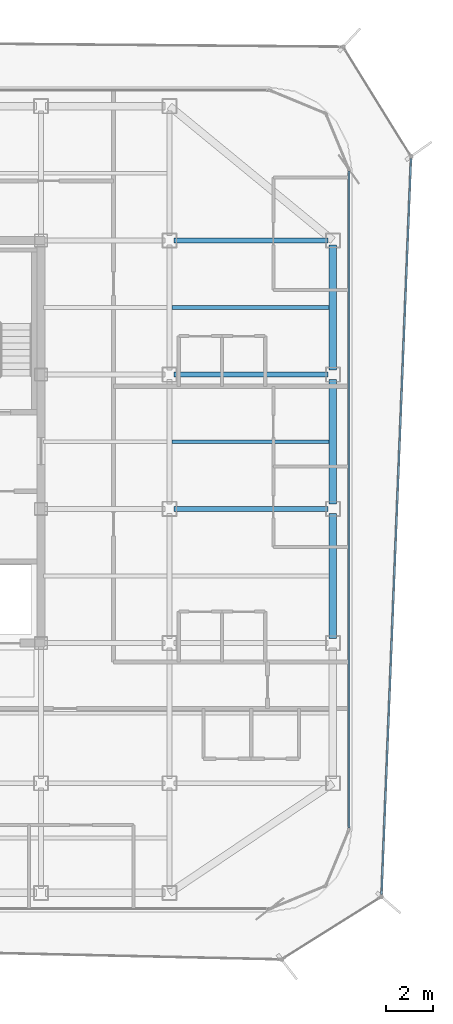
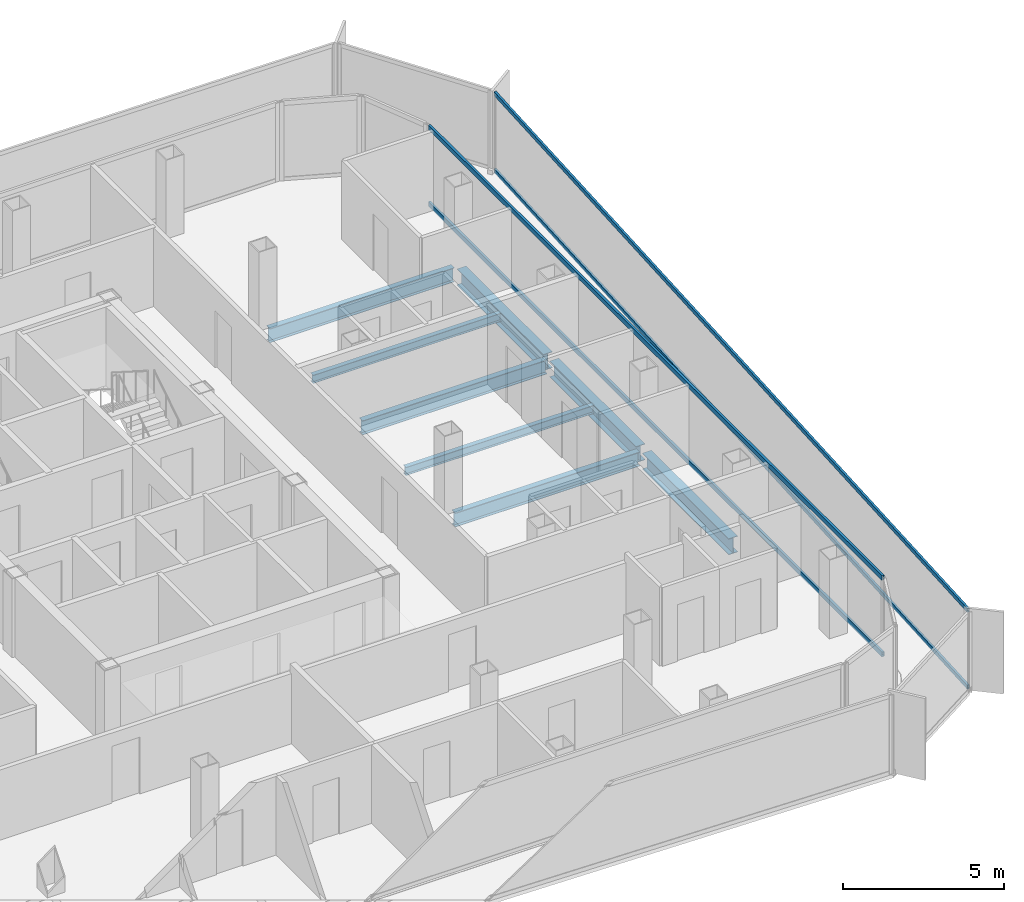
# One storey, part 5 of 15: 8 beams, 4 members, 2 elements without a shape of their own.
"""IFC4 building model written with IfcOpenShell, lengths in metres."""

import ifcopenshell
import ifcopenshell.guid

model = None  # the IFC model being written
_history = None  # IfcOwnerHistory: only IFC2X3 demands one
_inside = {}  # id of a spatial element -> (the spatial element, [elements in it])
_under = {}  # id of a project, library or spatial element -> (it, [spatial elements below it])
_declared = {}  # id of a project -> (the project, [libraries it declares])
_typed = {}  # id of a type object -> (the type object, [elements of that type])
_made_of = {}  # id of a material, layer set ... -> (it, [elements and type objects made of it])


def new_model(schema):
    """Start an empty IFC model of exactly this schema.

    Asked for "IFC4X3", IfcOpenShell would pick the latest addendum, in which some entities
    have other attributes; the version numbers below select the first issue.
    IFC2X3 requires an IfcOwnerHistory on every rooted entity: one is made here for all.
    """
    global model, _history
    if schema == "IFC4X3":
        model = ifcopenshell.file(schema_version=(4, 3, 0, 0))
    else:
        model = ifcopenshell.file(schema=schema)
    _inside.clear()
    _under.clear()
    _declared.clear()
    _typed.clear()
    _made_of.clear()
    _history = None
    if model.schema == "IFC2X3":
        org = make("IfcOrganization", Name="unknown")
        user = make(
            "IfcPersonAndOrganization",
            ThePerson=make("IfcPerson", FamilyName="unknown"),
            TheOrganization=org,
        )
        app = make(
            "IfcApplication",
            ApplicationDeveloper=org,
            Version="unknown",
            ApplicationFullName="unknown",
            ApplicationIdentifier="unknown",
        )
        _history = make(
            "IfcOwnerHistory",
            OwningUser=user,
            OwningApplication=app,
            ChangeAction="ADDED",
            CreationDate=0,
        )
    return model


def make(cls, **values):
    """One entity of the class cls with the attributes given. An attribute that is None is left unset."""
    return model.create_entity(
        cls, **{name: value for name, value in values.items() if value is not None}
    )


def rooted(cls, **values):
    """An entity with a GlobalId (a new one), such as an element, a storey or a relation."""
    return make(cls, GlobalId=ifcopenshell.guid.new(), OwnerHistory=_history, **values)


def si_unit(unit_type, name, prefix=None):
    """IfcSIUnit, for example si_unit("LENGTHUNIT", "METRE", prefix="MILLI")."""
    return make("IfcSIUnit", UnitType=unit_type, Prefix=prefix, Name=name)


def assignment(units):
    """IfcUnitAssignment: the units of a project."""
    return None if units is None else make("IfcUnitAssignment", Units=units)


def point(xyz):
    """IfcCartesianPoint."""
    return None if xyz is None else make("IfcCartesianPoint", Coordinates=xyz)


def direction(xyz):
    """IfcDirection."""
    return None if xyz is None else make("IfcDirection", DirectionRatios=xyz)


def frame(location, z_axis=None, x_axis=None):
    """IfcAxis2Placement3D, a coordinate frame: its origin and axes. An axis left out is left unset."""
    return make(
        "IfcAxis2Placement3D",
        Location=point(location),
        Axis=direction(z_axis),
        RefDirection=direction(x_axis),
    )


def frame_2d(location, x_axis=None):
    """IfcAxis2Placement2D, a coordinate frame in the plane: its origin and x axis."""
    return make(
        "IfcAxis2Placement2D", Location=point(location), RefDirection=direction(x_axis)
    )


def origin():
    """The frame at (0, 0, 0) with its axes left unset."""
    return frame((0.0, 0.0, 0.0))


def origin_2d():
    """The frame at (0, 0) in the plane with its x axis left unset."""
    return frame_2d((0.0, 0.0))


def place(relative_to, where):
    """IfcLocalPlacement: puts the frame where relative to a parent placement (None: the world)."""
    return make(
        "IfcLocalPlacement", PlacementRelTo=relative_to, RelativePlacement=where
    )


def context(
    kind, dimensions, precision=None, world=None, true_north=None, identifier=None
):
    """IfcGeometricRepresentationContext, for example the 3D "Model" context."""
    return make(
        "IfcGeometricRepresentationContext",
        ContextIdentifier=identifier,
        ContextType=kind,
        CoordinateSpaceDimension=dimensions,
        Precision=precision,
        WorldCoordinateSystem=world,
        TrueNorth=true_north,
    )


def subcontext(parent, identifier, kind, view, scale=None):
    """IfcGeometricRepresentationSubContext, for example "Body" below "Model"."""
    return make(
        "IfcGeometricRepresentationSubContext",
        ContextIdentifier=identifier,
        ContextType=kind,
        ParentContext=parent,
        TargetScale=scale,
        TargetView=view,
    )


def project(units=None, contexts=None):
    """IfcProject with its units and contexts."""
    return rooted(
        "IfcProject",
        Name="project",
        RepresentationContexts=contexts,
        UnitsInContext=assignment(units),
    )


def spatial(cls, under=None, at=None, **own):
    """A site, building, storey or space (cls), placed at a placement, below another one or the project."""
    s = rooted(cls, ObjectPlacement=at, **own)
    if under is not None:
        _under.setdefault(under.id(), (under, []))[1].append(s)
    return s


def profile(cls, at=None, kind="AREA", **sizes):
    """A parametric profile (cls). Its sizes go by their IFC names, for example OverallWidth=200.0."""
    return make(cls, ProfileType=kind, Position=at, **sizes)


def hollow_rectangle(**sizes):
    """IfcRectangleHollowProfileDef."""
    return profile("IfcRectangleHollowProfileDef", **sizes)


def i_section(**sizes):
    """IfcIShapeProfileDef."""
    return profile("IfcIShapeProfileDef", **sizes)


def extrude(swept, where, along, depth):
    """IfcExtrudedAreaSolid: the profile swept, set in the frame where, extruded along a direction by depth."""
    return make(
        "IfcExtrudedAreaSolid",
        SweptArea=swept,
        Position=where,
        ExtrudedDirection=direction(along),
        Depth=depth,
    )


def shape(context_of_items, identifier, shape_type, items):
    """IfcShapeRepresentation: the items that make up one representation, for example the "Body"."""
    return make(
        "IfcShapeRepresentation",
        ContextOfItems=context_of_items,
        RepresentationIdentifier=identifier,
        RepresentationType=shape_type,
        Items=items,
    )


def source(mapping_origin, context_of_items, identifier, shape_type, items):
    """IfcRepresentationMap: a shape defined once, which mapped items show again and again."""
    return make(
        "IfcRepresentationMap",
        MappingOrigin=mapping_origin,
        MappedRepresentation=shape(context_of_items, identifier, shape_type, items),
    )


def transform(
    local_origin,
    x_axis=None,
    y_axis=None,
    z_axis=None,
    scale=None,
    scale2=None,
    scale3=None,
    uniform=True,
):
    """IfcCartesianTransformationOperator3D, or its non-uniform kind. x_axis, y_axis, z_axis: its Axis1, 2, 3."""
    if uniform:
        return make(
            "IfcCartesianTransformationOperator3D",
            Axis1=direction(x_axis),
            Axis2=direction(y_axis),
            LocalOrigin=point(local_origin),
            Scale=scale,
            Axis3=direction(z_axis),
        )
    return make(
        "IfcCartesianTransformationOperator3DnonUniform",
        Axis1=direction(x_axis),
        Axis2=direction(y_axis),
        LocalOrigin=point(local_origin),
        Scale=scale,
        Axis3=direction(z_axis),
        Scale2=scale2,
        Scale3=scale3,
    )


def mapped(mapping_source, mapping_target):
    """IfcMappedItem: shows the shape of a source again, moved by a transform."""
    return make(
        "IfcMappedItem", MappingSource=mapping_source, MappingTarget=mapping_target
    )


def material(Name=None, Category=None):
    """IfcMaterial."""
    return make("IfcMaterial", Name=Name, Category=Category)


def layer(
    of_material, thickness, ventilated=None, Name=None, Category=None, Priority=None
):
    """IfcMaterialLayer: one layer of a wall or slab, of a material (None: an air gap)."""
    return make(
        "IfcMaterialLayer",
        Material=of_material,
        LayerThickness=thickness,
        IsVentilated=ventilated,
        Name=Name,
        Category=Category,
        Priority=Priority,
    )


def layer_set(layers, Name=None):
    """IfcMaterialLayerSet."""
    return make("IfcMaterialLayerSet", MaterialLayers=layers, LayerSetName=Name)


def material_profile(
    of_material, cross_section, Name=None, Category=None, Priority=None
):
    """IfcMaterialProfile: a cross section and its material."""
    return make(
        "IfcMaterialProfile",
        Name=Name,
        Material=of_material,
        Profile=cross_section,
        Priority=Priority,
        Category=Category,
    )


def profile_set(profiles, Name=None, composite=None):
    """IfcMaterialProfileSet."""
    return make(
        "IfcMaterialProfileSet",
        Name=Name,
        MaterialProfiles=profiles,
        CompositeProfile=composite,
    )


def made_of(thing, what):
    """Note that an element or type object is made of a material, layer set ...; save() writes the relation."""
    if what is not None:
        _made_of.setdefault(what.id(), (what, []))[1].append(thing)
    return thing


def type_object(cls, material=None, **own):
    """A type object (cls), such as IfcWallType, which elements share."""
    return made_of(rooted(cls, **own), material)


def element(
    cls,
    number,
    at=None,
    inside=None,
    cuts=None,
    type_object=None,
    material=None,
    context=None,
    identifier="Body",
    shape_type=None,
    held_by="IfcProductDefinitionShape",
    body=None,
    shapes=None,
    **own,
):
    """One element of the class cls, such as IfcWall. Its Tag is "e" and its number.

    at: its placement. inside: the storey or other place that contains it. cuts: it is an
    opening in that element (IfcRelVoidsElement). A single representation is given by context,
    identifier, shape_type and body (its items); several are given by shapes. held_by: the class
    of the entity that holds the representations. save() writes the other relations.
    """
    e = rooted(cls, Tag="e%d" % number, ObjectPlacement=at, **own)
    if body is not None:
        shapes = [shape(context, identifier, shape_type, body)]
    if shapes is not None:
        e.Representation = make(held_by, Representations=shapes)
    if inside is not None:
        _inside.setdefault(inside.id(), (inside, []))[1].append(e)
    if cuts is not None:
        rooted(
            "IfcRelVoidsElement", RelatingBuildingElement=cuts, RelatedOpeningElement=e
        )
    if type_object is not None:
        _typed.setdefault(type_object.id(), (type_object, []))[1].append(e)
    return made_of(e, material)


def aggregate(whole, parts):
    """IfcRelAggregates: a whole, such as a stair, and the parts it consists of."""
    return rooted("IfcRelAggregates", RelatingObject=whole, RelatedObjects=parts)


def save(model, path):
    """Write the relations noted so far, then the file.

    IfcRelAggregates (storeys below a building ...), IfcRelContainedInSpatialStructure (elements
    in a storey), IfcRelDefinesByType, IfcRelAssociatesMaterial and IfcRelDeclares: one each for
    every whole, place, type object, material and project.
    """
    for whole, parts in _under.values():
        aggregate(whole, parts)
    for where, things in _inside.values():
        rooted(
            "IfcRelContainedInSpatialStructure",
            RelatedElements=things,
            RelatingStructure=where,
        )
    for kind, things in _typed.values():
        rooted("IfcRelDefinesByType", RelatedObjects=things, RelatingType=kind)
    for what, things in _made_of.values():
        rooted("IfcRelAssociatesMaterial", RelatedObjects=things, RelatingMaterial=what)
    for by, libraries in _declared.values():
        rooted("IfcRelDeclares", RelatingContext=by, RelatedDefinitions=libraries)
    model.write(path)


model = new_model("IFC4")

# Units and contexts
model_context = context("Model", 3, precision=1e-05, world=origin(), true_north=direction((0.0, 1.0)))
body_context = subcontext(model_context, "Body", "Model", "MODEL_VIEW")
ifc_project = project(units=[si_unit("LENGTHUNIT", "METRE"), si_unit("AREAUNIT", "SQUARE_METRE"), si_unit("VOLUMEUNIT", "CUBIC_METRE"), si_unit("PLANEANGLEUNIT", "RADIAN"), si_unit("MASSUNIT", "GRAM", prefix="KILO")], contexts=[model_context])

# Site, building, storey
site_placement = place(None, origin())
site = spatial("IfcSite", under=ifc_project, at=site_placement, CompositionType="ELEMENT")
building_placement = place(site_placement, origin())
building = spatial("IfcBuilding", under=site, at=building_placement, Name="Kolveth Station Tower", CompositionType="ELEMENT")
storey_placement = place(building_placement, frame((0.0, 0.0, 239.300048828125)))
storey = spatial("IfcBuildingStorey", under=building, at=storey_placement, Name="L68", CompositionType="ELEMENT", Elevation=239.300048828125)

# Beams
ifc_material_1 = material(Name="Steel S355", Category="steel")
ifc_material_profile_1 = material_profile(ifc_material_1, i_section(OverallWidth=0.323974609375, OverallDepth=0.611083984375, WebThickness=0.0126953125, FlangeThickness=0.01904296875, at=origin_2d()), Name="W610x155")
ifc_profile_set_1 = profile_set([ifc_material_profile_1], Name="Steel S355")
beam_type_1 = type_object("IfcBeamType", Name="Beam_SP2", PredefinedType="SPANDREL", material=ifc_profile_set_1)
shared_shape_1 = source(origin(), body_context, "Body", "SweptSolid", [
    extrude(i_section(OverallWidth=0.323974609375, OverallDepth=0.611083984375, WebThickness=0.0126953125, FlangeThickness=0.01904296875, at=origin_2d()), origin(), (0.0, 0.0, 1.0), 5.35009765625),
])
for number, where, z_axis, x_axis, name in (
    (1, (41.0, 11.699951171875, -0.525634765625), (0.0, 1.0, 0.0), (-1.0, 0.0, 0.0), "L68 Perimeter Spandrel BM-L68-PE-2"),
    (2, (41.0, 17.449951171875, -0.525634765625), (0.0, 1.0, 0.0), (-1.0, 0.0, 0.0), "L68 Perimeter Spandrel BM-L68-PE-3"),
    (3, (41.0, 23.199951171875, -0.525634765625), (0.0, 1.0, 0.0), (-1.0, 0.0, 0.0), "L68 Perimeter Spandrel BM-L68-PE-4"),
):
    element("IfcBeam", number, at=place(storey_placement, frame(where, z_axis=z_axis, x_axis=x_axis)), inside=storey, type_object=beam_type_1, Name=name, PredefinedType="SPANDREL", context=body_context, shape_type="MappedRepresentation", body=[
        mapped(shared_shape_1, transform((0.0, 0.0, 0.0), x_axis=(1.0, 0.0, 0.0), y_axis=(0.0, 1.0, 0.0), z_axis=(0.0, 0.0, 1.0), scale=1.0)),
    ])
ifc_material_profile_2 = material_profile(ifc_material_1, i_section(OverallWidth=0.2099609375, OverallDepth=0.537109375, WebThickness=0.010986328125, FlangeThickness=0.017333984375, at=origin_2d()), Name="W530x101")
ifc_profile_set_2 = profile_set([ifc_material_profile_2], Name="Steel S355")
beam_type_2 = type_object("IfcBeamType", Name="Beam_B6", PredefinedType="BEAM", material=ifc_profile_set_2)
shared_shape_2 = source(origin(), body_context, "Body", "SweptSolid", [
    extrude(i_section(OverallWidth=0.2099609375, OverallDepth=0.537109375, WebThickness=0.010986328125, FlangeThickness=0.017333984375, at=origin_2d()), origin(), (0.0, 0.0, 1.0), 6.60009765625),
])
for number, where, z_axis, x_axis, name in (
    (4, (34.199951171875, 17.25, -0.488525390625), (1.0, 0.0, 0.0), (0.0, 1.0, 0.0), "L68 Primary Girder BM-L68-GY172-5"),
    (5, (34.199951171875, 23.0, -0.488525390625), (1.0, 0.0, 0.0), (0.0, 1.0, 0.0), "L68 Primary Girder BM-L68-GY230-5"),
    (6, (34.199951171875, 28.75, -0.488525390625), (1.0, 0.0, 0.0), (0.0, 1.0, 0.0), "L68 Primary Girder BM-L68-GY287-5"),
):
    element("IfcBeam", number, at=place(storey_placement, frame(where, z_axis=z_axis, x_axis=x_axis)), inside=storey, type_object=beam_type_2, Name=name, PredefinedType="BEAM", context=body_context, shape_type="MappedRepresentation", body=[
        mapped(shared_shape_2, transform((0.0, 0.0, 0.0), x_axis=(1.0, 0.0, 0.0), y_axis=(0.0, 1.0, 0.0), z_axis=(0.0, 0.0, 1.0), scale=1.0)),
    ])
ifc_material_profile_3 = material_profile(ifc_material_1, i_section(OverallWidth=0.1650390625, OverallDepth=0.31005859375, WebThickness=0.005859375, FlangeThickness=0.009765625, at=origin_2d()), Name="W310x39")
ifc_profile_set_3 = profile_set([ifc_material_profile_3], Name="Steel S355")
beam_type_3 = type_object("IfcBeamType", Name="Beam_J3", PredefinedType="JOIST", material=ifc_profile_set_3)
shared_shape_3 = source(origin(), body_context, "Body", "SweptSolid", [
    extrude(i_section(OverallWidth=0.1650390625, OverallDepth=0.31005859375, WebThickness=0.005859375, FlangeThickness=0.009765625, at=origin_2d()), origin(), (0.0, 0.0, 1.0), 6.737060546875),
])
for number, where, z_axis, x_axis, name in (
    (7, (34.10302734375, 20.125, -0.375), (1.0, 0.0, 0.0), (0.0, 1.0, 0.0), "L68 Secondary Joist JST-L68-5-4"),
    (8, (34.10302734375, 25.875, -0.375), (1.0, 0.0, 0.0), (0.0, 1.0, 0.0), "L68 Secondary Joist JST-L68-5-5"),
):
    element("IfcBeam", number, at=place(storey_placement, frame(where, z_axis=z_axis, x_axis=x_axis)), inside=storey, type_object=beam_type_3, Name=name, PredefinedType="JOIST", context=body_context, shape_type="MappedRepresentation", body=[
        mapped(shared_shape_3, transform((0.0, 0.0, 0.0), x_axis=(1.0, 0.0, 0.0), y_axis=(0.0, 1.0, 0.0), z_axis=(0.0, 0.0, 1.0), scale=1.0)),
    ])

# Curtain wall, members
ifc_material_2 = material(Name="Aluminium 6063-T6 and triple low-E dark glass", Category="aluminium")
ifc_layer_1 = layer(ifc_material_2, 0.199951171875)
ifc_layer_set_1 = layer_set([ifc_layer_1], Name="Aluminium 6063-T6 and triple low-E dark glass")
curtain_wall_type_1 = type_object("IfcCurtainWallType", Name="CurtainWall_CW-Z3", PredefinedType="NOTDEFINED", material=ifc_layer_set_1)
curtain_wall_1_placement = place(storey_placement, origin())
curtain_wall_1 = element("IfcCurtainWall", 9, at=curtain_wall_1_placement, inside=storey, type_object=curtain_wall_type_1, Name="L68 Inner Thermal Curtain Wall 3", PredefinedType="NOTDEFINED")
ifc_material_3 = material(Name="Black anodized aluminium 6063-T6", Category="aluminium")
ifc_material_profile_4 = material_profile(ifc_material_3, hollow_rectangle(XDim=0.0849609375, YDim=0.179931640625, WallThickness=0.0048828125, at=origin_2d()), Name="ALU-85x180x5")
ifc_profile_set_4 = profile_set([ifc_material_profile_4], Name="Black anodized aluminium 6063-T6")
member_type_1 = type_object("IfcMemberType", Name="Transom_TR3", PredefinedType="USERDEFINED", material=ifc_profile_set_4)
shared_shape_4 = source(origin(), body_context, "Body", "SweptSolid", [
    extrude(hollow_rectangle(XDim=0.0849609375, YDim=0.179931640625, WallThickness=0.0048828125, at=origin_2d()), origin(), (0.0, 0.0, 1.0), 28.130126953125),
])
member_1_placement = place(storey_placement, frame((41.679931640625, 3.5849609375, 0.04248046875), z_axis=(0.0, 1.0, 0.0), x_axis=(-1.0, 0.0, 0.0)))
member_1 = element("IfcMember", 10, at=member_1_placement, type_object=member_type_1, Name="CW-Z3 transom 1.1", ObjectType="TRANSOM", PredefinedType="USERDEFINED", context=body_context, shape_type="MappedRepresentation", body=[
    mapped(shared_shape_4, transform((0.0, 0.0, 0.0), x_axis=(1.0, 0.0, 0.0), y_axis=(0.0, 1.0, 0.0), z_axis=(0.0, 0.0, 1.0), scale=1.0)),
])
member_2_placement = place(storey_placement, frame((41.679931640625, 3.5849609375, 2.9375), z_axis=(0.0, 1.0, 0.0), x_axis=(-1.0, 0.0, 0.0)))
member_2 = element("IfcMember", 11, at=member_2_placement, type_object=member_type_1, Name="CW-Z3 transom 1.2", ObjectType="TRANSOM", PredefinedType="USERDEFINED", context=body_context, shape_type="MappedRepresentation", body=[
    mapped(shared_shape_4, transform((0.0, 0.0, 0.0), x_axis=(1.0, 0.0, 0.0), y_axis=(0.0, 1.0, 0.0), z_axis=(0.0, 0.0, 1.0), scale=1.0)),
])
aggregate(curtain_wall_1, [member_1, member_2])

ifc_material_4 = material(Name="Black anodized aluminium 6063-T6 and dark solar glass", Category="aluminium")
ifc_layer_2 = layer(ifc_material_4, 0.159912109375)
ifc_layer_set_2 = layer_set([ifc_layer_2], Name="Black anodized aluminium 6063-T6 and dark solar glass")
curtain_wall_type_2 = type_object("IfcCurtainWallType", Name="OUTER SKIN CW-OS", PredefinedType="NOTDEFINED", material=ifc_layer_set_2)
curtain_wall_2_placement = place(storey_placement, origin())
curtain_wall_2 = element("IfcCurtainWall", 12, at=curtain_wall_2_placement, inside=storey, type_object=curtain_wall_type_2, Name="L68 Outer Ventilated Skin Curtain Wall 2", PredefinedType="NOTDEFINED")
ifc_material_profile_5 = material_profile(ifc_material_3, hollow_rectangle(XDim=0.080078125, YDim=0.14990234375, WallThickness=0.0048828125, at=origin_2d()), Name="ALU-80x150x5")
ifc_profile_set_5 = profile_set([ifc_material_profile_5], Name="Black anodized aluminium 6063-T6")
member_type_2 = type_object("IfcMemberType", Name="Transom_TR-OS", PredefinedType="USERDEFINED", material=ifc_profile_set_5)
shared_shape_5 = source(origin(), body_context, "Body", "SweptSolid", [
    extrude(hollow_rectangle(XDim=0.080078125, YDim=0.14990234375, WallThickness=0.0048828125, at=origin_2d()), origin(), (0.0, 0.0, 1.0), 31.550048828125),
])
member_3_placement = place(storey_placement, frame((43.0830078125, 0.7314453125, 0.0400390625), z_axis=(0.039983180951, 0.999200352903, 0.0), x_axis=(-0.999200352903, 0.039983180951, 0.0)))
member_3 = element("IfcMember", 13, at=member_3_placement, type_object=member_type_2, Name="CW-OS transom 1.1", ObjectType="TRANSOM", PredefinedType="USERDEFINED", context=body_context, shape_type="MappedRepresentation", body=[
    mapped(shared_shape_5, transform((0.0, 0.0, 0.0), x_axis=(1.0, 0.0, 0.0), y_axis=(0.0, 1.0, 0.0), z_axis=(0.0, 0.0, 1.0), scale=1.0)),
])
member_4_placement = place(storey_placement, frame((43.0830078125, 0.7314453125, 2.949951171875), z_axis=(0.039983180951, 0.999200352903, 0.0), x_axis=(-0.999200352903, 0.039983180951, 0.0)))
member_4 = element("IfcMember", 14, at=member_4_placement, type_object=member_type_2, Name="CW-OS transom 1.2", ObjectType="TRANSOM", PredefinedType="USERDEFINED", context=body_context, shape_type="MappedRepresentation", body=[
    mapped(shared_shape_5, transform((0.0, 0.0, 0.0), x_axis=(1.0, 0.0, 0.0), y_axis=(0.0, 1.0, 0.0), z_axis=(0.0, 0.0, 1.0), scale=1.0)),
])
aggregate(curtain_wall_2, [member_3, member_4])

save(model, "model.ifc")
